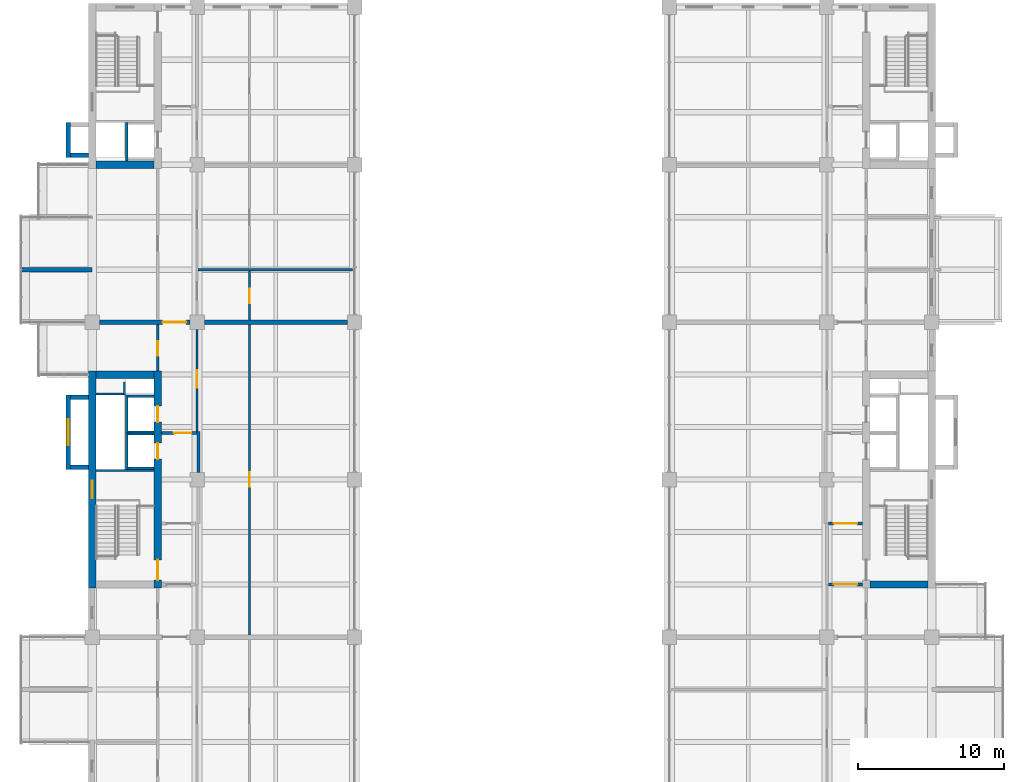
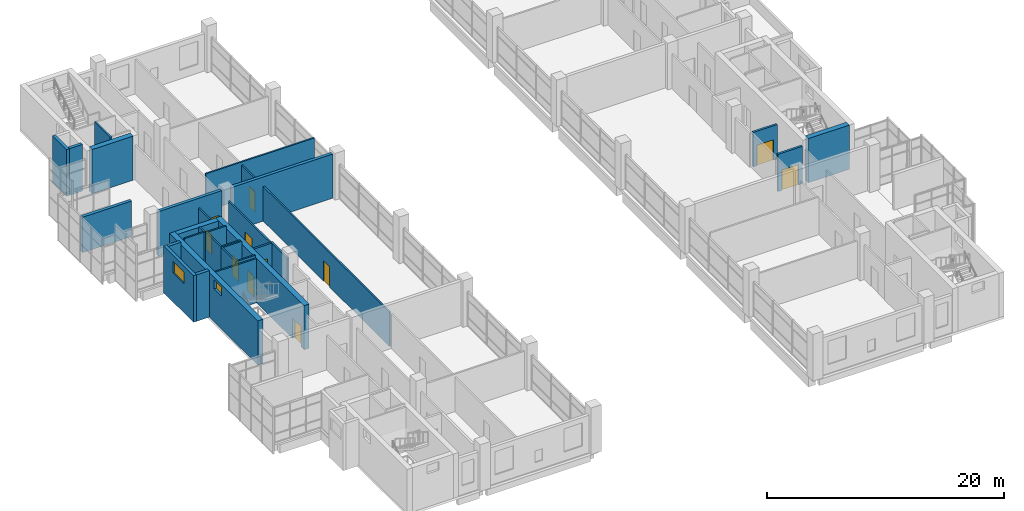
# One storey, part 23 of 30: 32 walls, 11 doors, 2 windows, 13 openings.
"""IFC4 building model written with IfcOpenShell, lengths in metres."""

import ifcopenshell
import ifcopenshell.guid

model = None  # the IFC model being written
_history = None  # IfcOwnerHistory: only IFC2X3 demands one
_inside = {}  # id of a spatial element -> (the spatial element, [elements in it])
_under = {}  # id of a project, library or spatial element -> (it, [spatial elements below it])
_declared = {}  # id of a project -> (the project, [libraries it declares])
_typed = {}  # id of a type object -> (the type object, [elements of that type])
_made_of = {}  # id of a material, layer set ... -> (it, [elements and type objects made of it])


def new_model(schema):
    """Start an empty IFC model of exactly this schema.

    Asked for "IFC4X3", IfcOpenShell would pick the latest addendum, in which some entities
    have other attributes; the version numbers below select the first issue.
    IFC2X3 requires an IfcOwnerHistory on every rooted entity: one is made here for all.
    """
    global model, _history
    if schema == "IFC4X3":
        model = ifcopenshell.file(schema_version=(4, 3, 0, 0))
    else:
        model = ifcopenshell.file(schema=schema)
    _inside.clear()
    _under.clear()
    _declared.clear()
    _typed.clear()
    _made_of.clear()
    _history = None
    if model.schema == "IFC2X3":
        org = make("IfcOrganization", Name="unknown")
        user = make(
            "IfcPersonAndOrganization",
            ThePerson=make("IfcPerson", FamilyName="unknown"),
            TheOrganization=org,
        )
        app = make(
            "IfcApplication",
            ApplicationDeveloper=org,
            Version="unknown",
            ApplicationFullName="unknown",
            ApplicationIdentifier="unknown",
        )
        _history = make(
            "IfcOwnerHistory",
            OwningUser=user,
            OwningApplication=app,
            ChangeAction="ADDED",
            CreationDate=0,
        )
    return model


def make(cls, **values):
    """One entity of the class cls with the attributes given. An attribute that is None is left unset."""
    return model.create_entity(
        cls, **{name: value for name, value in values.items() if value is not None}
    )


def rooted(cls, **values):
    """An entity with a GlobalId (a new one), such as an element, a storey or a relation."""
    return make(cls, GlobalId=ifcopenshell.guid.new(), OwnerHistory=_history, **values)


def si_unit(unit_type, name, prefix=None):
    """IfcSIUnit, for example si_unit("LENGTHUNIT", "METRE", prefix="MILLI")."""
    return make("IfcSIUnit", UnitType=unit_type, Prefix=prefix, Name=name)


def assignment(units):
    """IfcUnitAssignment: the units of a project."""
    return None if units is None else make("IfcUnitAssignment", Units=units)


def point(xyz):
    """IfcCartesianPoint."""
    return None if xyz is None else make("IfcCartesianPoint", Coordinates=xyz)


def direction(xyz):
    """IfcDirection."""
    return None if xyz is None else make("IfcDirection", DirectionRatios=xyz)


def frame(location, z_axis=None, x_axis=None):
    """IfcAxis2Placement3D, a coordinate frame: its origin and axes. An axis left out is left unset."""
    return make(
        "IfcAxis2Placement3D",
        Location=point(location),
        Axis=direction(z_axis),
        RefDirection=direction(x_axis),
    )


def frame_2d(location, x_axis=None):
    """IfcAxis2Placement2D, a coordinate frame in the plane: its origin and x axis."""
    return make(
        "IfcAxis2Placement2D", Location=point(location), RefDirection=direction(x_axis)
    )


def origin():
    """The frame at (0, 0, 0) with its axes left unset."""
    return frame((0.0, 0.0, 0.0))


def place(relative_to, where):
    """IfcLocalPlacement: puts the frame where relative to a parent placement (None: the world)."""
    return make(
        "IfcLocalPlacement", PlacementRelTo=relative_to, RelativePlacement=where
    )


def context(
    kind, dimensions, precision=None, world=None, true_north=None, identifier=None
):
    """IfcGeometricRepresentationContext, for example the 3D "Model" context."""
    return make(
        "IfcGeometricRepresentationContext",
        ContextIdentifier=identifier,
        ContextType=kind,
        CoordinateSpaceDimension=dimensions,
        Precision=precision,
        WorldCoordinateSystem=world,
        TrueNorth=true_north,
    )


def subcontext(parent, identifier, kind, view, scale=None):
    """IfcGeometricRepresentationSubContext, for example "Body" below "Model"."""
    return make(
        "IfcGeometricRepresentationSubContext",
        ContextIdentifier=identifier,
        ContextType=kind,
        ParentContext=parent,
        TargetScale=scale,
        TargetView=view,
    )


def project(units=None, contexts=None):
    """IfcProject with its units and contexts."""
    return rooted(
        "IfcProject",
        Name="project",
        RepresentationContexts=contexts,
        UnitsInContext=assignment(units),
    )


def spatial(cls, under=None, at=None, **own):
    """A site, building, storey or space (cls), placed at a placement, below another one or the project."""
    s = rooted(cls, ObjectPlacement=at, **own)
    if under is not None:
        _under.setdefault(under.id(), (under, []))[1].append(s)
    return s


def profile(cls, at=None, kind="AREA", **sizes):
    """A parametric profile (cls). Its sizes go by their IFC names, for example OverallWidth=200.0."""
    return make(cls, ProfileType=kind, Position=at, **sizes)


def rectangle(**sizes):
    """IfcRectangleProfileDef."""
    return profile("IfcRectangleProfileDef", **sizes)


def extrude(swept, where, along, depth):
    """IfcExtrudedAreaSolid: the profile swept, set in the frame where, extruded along a direction by depth."""
    return make(
        "IfcExtrudedAreaSolid",
        SweptArea=swept,
        Position=where,
        ExtrudedDirection=direction(along),
        Depth=depth,
    )


def shape(context_of_items, identifier, shape_type, items):
    """IfcShapeRepresentation: the items that make up one representation, for example the "Body"."""
    return make(
        "IfcShapeRepresentation",
        ContextOfItems=context_of_items,
        RepresentationIdentifier=identifier,
        RepresentationType=shape_type,
        Items=items,
    )


def material(Name=None, Category=None):
    """IfcMaterial."""
    return make("IfcMaterial", Name=Name, Category=Category)


def layer(
    of_material, thickness, ventilated=None, Name=None, Category=None, Priority=None
):
    """IfcMaterialLayer: one layer of a wall or slab, of a material (None: an air gap)."""
    return make(
        "IfcMaterialLayer",
        Material=of_material,
        LayerThickness=thickness,
        IsVentilated=ventilated,
        Name=Name,
        Category=Category,
        Priority=Priority,
    )


def layer_set(layers, Name=None):
    """IfcMaterialLayerSet."""
    return make("IfcMaterialLayerSet", MaterialLayers=layers, LayerSetName=Name)


def made_of(thing, what):
    """Note that an element or type object is made of a material, layer set ...; save() writes the relation."""
    if what is not None:
        _made_of.setdefault(what.id(), (what, []))[1].append(thing)
    return thing


def type_object(cls, material=None, **own):
    """A type object (cls), such as IfcWallType, which elements share."""
    return made_of(rooted(cls, **own), material)


def element(
    cls,
    number,
    at=None,
    inside=None,
    cuts=None,
    type_object=None,
    material=None,
    context=None,
    identifier="Body",
    shape_type=None,
    held_by="IfcProductDefinitionShape",
    body=None,
    shapes=None,
    **own,
):
    """One element of the class cls, such as IfcWall. Its Tag is "e" and its number.

    at: its placement. inside: the storey or other place that contains it. cuts: it is an
    opening in that element (IfcRelVoidsElement). A single representation is given by context,
    identifier, shape_type and body (its items); several are given by shapes. held_by: the class
    of the entity that holds the representations. save() writes the other relations.
    """
    e = rooted(cls, Tag="e%d" % number, ObjectPlacement=at, **own)
    if body is not None:
        shapes = [shape(context, identifier, shape_type, body)]
    if shapes is not None:
        e.Representation = make(held_by, Representations=shapes)
    if inside is not None:
        _inside.setdefault(inside.id(), (inside, []))[1].append(e)
    if cuts is not None:
        rooted(
            "IfcRelVoidsElement", RelatingBuildingElement=cuts, RelatedOpeningElement=e
        )
    if type_object is not None:
        _typed.setdefault(type_object.id(), (type_object, []))[1].append(e)
    return made_of(e, material)


def fill(opening, filler):
    """IfcRelFillsElement: the door or window that sits in an opening."""
    return rooted(
        "IfcRelFillsElement",
        RelatingOpeningElement=opening,
        RelatedBuildingElement=filler,
    )


def aggregate(whole, parts):
    """IfcRelAggregates: a whole, such as a stair, and the parts it consists of."""
    return rooted("IfcRelAggregates", RelatingObject=whole, RelatedObjects=parts)


def save(model, path):
    """Write the relations noted so far, then the file.

    IfcRelAggregates (storeys below a building ...), IfcRelContainedInSpatialStructure (elements
    in a storey), IfcRelDefinesByType, IfcRelAssociatesMaterial and IfcRelDeclares: one each for
    every whole, place, type object, material and project.
    """
    for whole, parts in _under.values():
        aggregate(whole, parts)
    for where, things in _inside.values():
        rooted(
            "IfcRelContainedInSpatialStructure",
            RelatedElements=things,
            RelatingStructure=where,
        )
    for kind, things in _typed.values():
        rooted("IfcRelDefinesByType", RelatedObjects=things, RelatingType=kind)
    for what, things in _made_of.values():
        rooted("IfcRelAssociatesMaterial", RelatedObjects=things, RelatingMaterial=what)
    for by, libraries in _declared.values():
        rooted("IfcRelDeclares", RelatingContext=by, RelatedDefinitions=libraries)
    model.write(path)


model = new_model("IFC4")

# Units and contexts
model_context = context("Model", 3, precision=1e-05, world=origin(), true_north=direction((0.0, 1.0)))
body_context = subcontext(model_context, "Body", "Model", "MODEL_VIEW")
ifc_project = project(units=[si_unit("LENGTHUNIT", "METRE"), si_unit("AREAUNIT", "SQUARE_METRE"), si_unit("VOLUMEUNIT", "CUBIC_METRE"), si_unit("PLANEANGLEUNIT", "RADIAN"), si_unit("MASSUNIT", "GRAM", prefix="KILO")], contexts=[model_context])

# Site, building, storey
site_placement = place(None, origin())
site = spatial("IfcSite", under=ifc_project, at=site_placement, CompositionType="ELEMENT")
building_placement = place(site_placement, origin())
building = spatial("IfcBuilding", under=site, at=building_placement, Name="Basin Gate Institute", CompositionType="ELEMENT")
storey_placement = place(building_placement, frame((0.0, 0.0, 36.60009765625)))
storey = spatial("IfcBuildingStorey", under=building, at=storey_placement, Name="L07", CompositionType="ELEMENT", Elevation=36.60009765625)

# Wall
ifc_material_1 = material(Name="Aluminium-faced insulated panel wall", Category="aluminium")
ifc_layer_1 = layer(ifc_material_1, 0.300048828125)
ifc_layer_set_1 = layer_set([ifc_layer_1], Name="Capsule side wall EW2 EI 120")
wall_type_1 = type_object("IfcWallType", Name="Capsule side wall EW2 EI 120", PredefinedType="STANDARD", material=ifc_layer_set_1)
wall_1_placement = place(storey_placement, frame((56.39990234375, 81.89990234375, 0.0), z_axis=(0.0, 0.0, 1.0), x_axis=(1.0, 0.0, 0.0)))
element("IfcWall", 1, at=wall_1_placement, inside=storey, type_object=wall_type_1, material=ifc_layer_set_1, Name="Capsule side wall W wing L07 line 14", PredefinedType="STANDARD", context=body_context, shape_type="SweptSolid", body=[
    extrude(rectangle(XDim=4.800048828125, YDim=0.300048828125, at=frame_2d((2.39990234375, 0.0))), origin(), (0.0, 0.0, 1.0), 3.64990234375),
])

# Wall, opening, door
ifc_material_2 = material(Name="Fire-rated masonry", Category="masonry")
ifc_layer_2 = layer(ifc_material_2, 0.199951171875)
ifc_layer_set_2 = layer_set([ifc_layer_2], Name="Enclosure wall PW2 200 EI 60")
wall_type_2 = type_object("IfcWallType", Name="Enclosure wall PW2 200 EI 60", PredefinedType="PARTITIONING", material=ifc_layer_set_2)
wall_2_placement = place(storey_placement, frame((65.949951171875, 70.699951171875, 0.0), z_axis=(0.0, 0.0, 1.0), x_axis=(1.0, 0.0, 0.0)))
wall_2 = element("IfcWall", 2, at=wall_2_placement, inside=storey, type_object=wall_type_2, material=ifc_layer_set_2, Name="Emergency lift lobby wall PW2 L07", PredefinedType="PARTITIONING", context=body_context, shape_type="SweptSolid", body=[
    extrude(rectangle(XDim=2.449951171875, YDim=0.199951171875, at=frame_2d((1.22509765625, 0.0))), origin(), (0.0, 0.0, 1.0), 3.5498046875),
])
opening_1_placement = place(wall_2_placement, frame((0.85009765625, 0.0, 0.0)))
opening_1 = element("IfcOpeningElement", 3, at=opening_1_placement, cuts=wall_2, Name="Opening DR361", PredefinedType="OPENING", context=body_context, shape_type="SweptSolid", body=[
    extrude(rectangle(XDim=1.199951171875, YDim=2.10009765625, at=frame_2d((0.60009765625, 1.050048828125))), frame((0.0, 0.10986328125, 0.0), z_axis=(0.0, -1.0, 0.0), x_axis=(1.0, 0.0, 0.0)), (0.0, 0.0, 1.0), 0.219970703125),
])
ifc_material_3 = material(Name="Steel fire door", Category="steel")
door_type_1 = type_object("IfcDoorType", Name="FD60 Emergency lift lobby door D9", OperationType="NOTDEFINED", PredefinedType="DOOR", material=ifc_material_3)
door_1_placement = place(opening_1_placement, frame((1.199951171875, 0.0, 0.0), z_axis=(0.0, 0.0, 1.0), x_axis=(-1.0, 0.0, 0.0)))
door_1 = element("IfcDoor", 4, at=door_1_placement, inside=storey, type_object=door_type_1, material=ifc_material_3, Name="Emergency lift lobby door LF1 L07", OperationType="SINGLE_SWING_LEFT", OverallHeight=2.10009765625, OverallWidth=1.199951171875, PredefinedType="DOOR", context=body_context, shape_type="SweptSolid", body=[
    extrude(rectangle(XDim=1.199951171875, YDim=2.10009765625, at=frame_2d((0.60009765625, 1.050048828125))), frame((0.0, 0.02490234375, 0.0), z_axis=(0.0, -1.0, 0.0), x_axis=(1.0, 0.0, 0.0)), (0.0, 0.0, 1.0), 0.050048828125),
])
fill(opening_1, door_1)

# Wall
wall_3_placement = place(storey_placement, frame((68.5, 68.0, 0.0), z_axis=(0.0, 0.0, 1.0), x_axis=(0.0, 1.0, 0.0)))
element("IfcWall", 5, at=wall_3_placement, inside=storey, type_object=wall_type_2, material=ifc_layer_set_2, Name="Emergency lift lobby wall PW2 L07", PredefinedType="PARTITIONING", context=body_context, shape_type="SweptSolid", body=[
    extrude(rectangle(XDim=2.800048828125, YDim=0.199951171875, at=frame_2d((1.39990234375, 0.0))), origin(), (0.0, 0.0, 1.0), 3.5498046875),
])

# Wall, opening, door
wall_4_placement = place(storey_placement, frame((114.050048828125, 60.300048828125, 0.0), z_axis=(0.0, 0.0, 1.0), x_axis=(-1.0, 0.0, 0.0)))
wall_4 = element("IfcWall", 6, at=wall_4_placement, inside=storey, type_object=wall_type_2, material=ifc_layer_set_2, Name="Smoke lobby enclosure wall PW2 L07", PredefinedType="PARTITIONING", context=body_context, shape_type="SweptSolid", body=[
    extrude(rectangle(XDim=2.35009765625, YDim=0.199951171875, at=frame_2d((1.175048828125, 0.0))), origin(), (0.0, 0.0, 1.0), 3.849853515625),
])
opening_2_placement = place(wall_4_placement, frame((0.375, 0.0, 0.0)))
opening_2 = element("IfcOpeningElement", 7, at=opening_2_placement, cuts=wall_4, Name="Opening DR339", PredefinedType="OPENING", context=body_context, shape_type="SweptSolid", body=[
    extrude(rectangle(XDim=1.60009765625, YDim=2.10009765625, at=frame_2d((0.800048828125, 1.050048828125))), frame((0.0, 0.10986328125, 0.0), z_axis=(0.0, -1.0, 0.0), x_axis=(1.0, 0.0, 0.0)), (0.0, 0.0, 1.0), 0.219970703125),
])
ifc_material_4 = material(Name="Steel fire door", Category="steel")
door_type_2 = type_object("IfcDoorType", Name="FD60 Smoke lobby door pair D8", OperationType="DOUBLE_DOOR_SINGLE_SWING", PredefinedType="DOOR", material=ifc_material_4)
door_2_placement = place(opening_2_placement, frame((1.60009765625, 0.0, 0.0), z_axis=(0.0, 0.0, 1.0), x_axis=(-1.0, 0.0, 0.0)))
door_2 = element("IfcDoor", 8, at=door_2_placement, inside=storey, type_object=door_type_2, material=ifc_material_4, Name="Smoke lobby door SS5 L07", OperationType="DOUBLE_DOOR_SINGLE_SWING", OverallHeight=2.10009765625, OverallWidth=1.60009765625, PredefinedType="DOOR", context=body_context, shape_type="SweptSolid", body=[
    extrude(rectangle(XDim=1.60009765625, YDim=2.10009765625, at=frame_2d((0.800048828125, 1.050048828125))), frame((0.0, 0.02490234375, 0.0), z_axis=(0.0, -1.0, 0.0), x_axis=(1.0, 0.0, 0.0)), (0.0, 0.0, 1.0), 0.050048828125),
])
fill(opening_2, door_2)

wall_5_placement = place(storey_placement, frame((114.050048828125, 64.5, 0.0), z_axis=(0.0, 0.0, 1.0), x_axis=(-1.0, 0.0, 0.0)))
wall_5 = element("IfcWall", 9, at=wall_5_placement, inside=storey, type_object=wall_type_2, material=ifc_layer_set_2, Name="Smoke lobby enclosure wall PW2 L07", PredefinedType="PARTITIONING", context=body_context, shape_type="SweptSolid", body=[
    extrude(rectangle(XDim=2.35009765625, YDim=0.199951171875, at=frame_2d((1.175048828125, 0.0))), origin(), (0.0, 0.0, 1.0), 3.5498046875),
])
opening_3_placement = place(wall_5_placement, frame((0.375, 0.0, 0.0)))
opening_3 = element("IfcOpeningElement", 10, at=opening_3_placement, cuts=wall_5, Name="Opening DR340", PredefinedType="OPENING", context=body_context, shape_type="SweptSolid", body=[
    extrude(rectangle(XDim=1.60009765625, YDim=2.10009765625, at=frame_2d((0.800048828125, 1.050048828125))), frame((0.0, 0.10986328125, 0.0), z_axis=(0.0, -1.0, 0.0), x_axis=(1.0, 0.0, 0.0)), (0.0, 0.0, 1.0), 0.219970703125),
])
door_3_placement = place(opening_3_placement, origin())
door_3 = element("IfcDoor", 11, at=door_3_placement, inside=storey, type_object=door_type_2, material=ifc_material_4, Name="Smoke lobby door SS5 L07", OperationType="DOUBLE_DOOR_SINGLE_SWING", OverallHeight=2.10009765625, OverallWidth=1.60009765625, PredefinedType="DOOR", context=body_context, shape_type="SweptSolid", body=[
    extrude(rectangle(XDim=1.60009765625, YDim=2.10009765625, at=frame_2d((0.800048828125, 1.050048828125))), frame((0.0, 0.02490234375, 0.0), z_axis=(0.0, -1.0, 0.0), x_axis=(1.0, 0.0, 0.0)), (0.0, 0.0, 1.0), 0.050048828125),
])
fill(opening_3, door_3)

ifc_material_5 = material(Name="Gypsum board on steel stud", Category="steel")
ifc_layer_3 = layer(ifc_material_5, 0.14990234375)
ifc_layer_set_3 = layer_set([ifc_layer_3], Name="Gypsum board on steel stud")
wall_type_3 = type_object("IfcWallType", Name="Partition PW1 150 EI 60", PredefinedType="PARTITIONING", material=ifc_layer_set_3)
wall_6_placement = place(storey_placement, frame((65.699951171875, 74.949951171875, 0.0), z_axis=(0.0, 0.0, 1.0), x_axis=(0.0, 1.0, 0.0)))
wall_6 = element("IfcWall", 12, at=wall_6_placement, inside=storey, type_object=wall_type_3, material=ifc_layer_set_3, Name="Corridor wall PW1 L07", PredefinedType="PARTITIONING", context=body_context, shape_type="SweptSolid", body=[
    extrude(rectangle(XDim=3.199951171875, YDim=0.14990234375, at=frame_2d((1.60009765625, 0.0))), origin(), (0.0, 0.0, 1.0), 3.5498046875),
])
opening_4_placement = place(wall_6_placement, frame((1.050048828125, 0.0, 0.0)))
opening_4 = element("IfcOpeningElement", 13, at=opening_4_placement, cuts=wall_6, Name="Opening DR360", PredefinedType="OPENING", context=body_context, shape_type="SweptSolid", body=[
    extrude(rectangle(XDim=1.0, YDim=2.10009765625, at=frame_2d((0.5, 1.050048828125))), frame((0.0, 0.0849609375, 0.0), z_axis=(0.0, -1.0, 0.0), x_axis=(1.0, 0.0, 0.0)), (0.0, 0.0, 1.0), 0.169921875),
])
ifc_material_6 = material(Name="Timber fire door", Category="wood")
door_type_3 = type_object("IfcDoorType", Name="FD30 Office door D1", OperationType="NOTDEFINED", PredefinedType="DOOR", material=ifc_material_6)
door_4_placement = place(opening_4_placement, origin())
door_4 = element("IfcDoor", 14, at=door_4_placement, inside=storey, type_object=door_type_3, material=ifc_material_6, Name="Door to Seminar Room 0704 L07", OperationType="SINGLE_SWING_LEFT", OverallHeight=2.10009765625, OverallWidth=1.0, PredefinedType="DOOR", context=body_context, shape_type="SweptSolid", body=[
    extrude(rectangle(XDim=1.0, YDim=2.10009765625, at=frame_2d((0.5, 1.050048828125))), frame((0.0, 0.02490234375, 0.0), z_axis=(0.0, -1.0, 0.0), x_axis=(1.0, 0.0, 0.0)), (0.0, 0.0, 1.0), 0.050048828125),
])
fill(opening_4, door_4)

wall_7_placement = place(storey_placement, frame((68.39990234375, 70.800048828125, 0.0), z_axis=(0.0, 0.0, 1.0), x_axis=(0.0, 1.0, 0.0)))
wall_7 = element("IfcWall", 15, at=wall_7_placement, inside=storey, type_object=wall_type_3, material=ifc_layer_set_3, Name="Laboratory corridor wall PW1 L07", PredefinedType="PARTITIONING", context=body_context, shape_type="SweptSolid", body=[
    extrude(rectangle(XDim=7.0, YDim=0.14990234375, at=frame_2d((3.5, 0.0))), origin(), (0.0, 0.0, 1.0), 3.5498046875),
])
opening_5_placement = place(wall_7_placement, frame((3.0, 0.0, 0.0)))
opening_5 = element("IfcOpeningElement", 16, at=opening_5_placement, cuts=wall_7, Name="Opening DR354", PredefinedType="OPENING", context=body_context, shape_type="SweptSolid", body=[
    extrude(rectangle(XDim=1.199951171875, YDim=2.10009765625, at=frame_2d((0.60009765625, 1.050048828125))), frame((0.0, 0.0849609375, 0.0), z_axis=(0.0, -1.0, 0.0), x_axis=(1.0, 0.0, 0.0)), (0.0, 0.0, 1.0), 0.169921875),
])
ifc_material_7 = material(Name="Timber fire door", Category="wood")
door_type_4 = type_object("IfcDoorType", Name="FD30 Laboratory door D2", OperationType="DOUBLE_DOOR_SINGLE_SWING", PredefinedType="DOOR", material=ifc_material_7)
door_5_placement = place(opening_5_placement, frame((1.199951171875, 0.0, 0.0), z_axis=(0.0, 0.0, 1.0), x_axis=(-1.0, 0.0, 0.0)))
door_5 = element("IfcDoor", 17, at=door_5_placement, inside=storey, type_object=door_type_4, material=ifc_material_7, Name="Door to Gowning Airlock 0718 L07", OperationType="DOUBLE_DOOR_SINGLE_SWING", OverallHeight=2.10009765625, OverallWidth=1.199951171875, PredefinedType="DOOR", context=body_context, shape_type="SweptSolid", body=[
    extrude(rectangle(XDim=1.199951171875, YDim=2.10009765625, at=frame_2d((0.60009765625, 1.050048828125))), frame((0.0, 0.02490234375, 0.0), z_axis=(0.0, -1.0, 0.0), x_axis=(1.0, 0.0, 0.0)), (0.0, 0.0, 1.0), 0.050048828125),
])
fill(opening_5, door_5)

wall_8_placement = place(storey_placement, frame((72.0, 56.85009765625, 0.0), z_axis=(0.0, 0.0, 1.0), x_axis=(0.0, 1.0, 0.0)))
wall_8 = element("IfcWall", 18, at=wall_8_placement, inside=storey, type_object=wall_type_3, material=ifc_layer_set_3, Name="Clean room wall PW1 L07", PredefinedType="PARTITIONING", context=body_context, shape_type="SweptSolid", body=[
    extrude(rectangle(XDim=21.2998046875, YDim=0.14990234375, at=frame_2d((10.64990234375, 0.0))), origin(), (0.0, 0.0, 1.0), 3.5498046875),
])
opening_6_placement = place(wall_8_placement, frame((10.14990234375, 0.0, 0.0)))
opening_6 = element("IfcOpeningElement", 19, at=opening_6_placement, cuts=wall_8, Name="Opening DR347", PredefinedType="OPENING", context=body_context, shape_type="SweptSolid", body=[
    extrude(rectangle(XDim=1.0, YDim=2.10009765625, at=frame_2d((0.5, 1.050048828125))), frame((0.0, 0.0849609375, 0.0), z_axis=(0.0, -1.0, 0.0), x_axis=(1.0, 0.0, 0.0)), (0.0, 0.0, 1.0), 0.169921875),
])
ifc_material_8 = material(Name="Steel fire door", Category="steel")
door_type_5 = type_object("IfcDoorType", Name="FD30 Airlock door D5", OperationType="NOTDEFINED", PredefinedType="DOOR", material=ifc_material_8)
door_6_placement = place(opening_6_placement, frame((1.0, 0.0, 0.0), z_axis=(0.0, 0.0, 1.0), x_axis=(-1.0, 0.0, 0.0)))
door_6 = element("IfcDoor", 20, at=door_6_placement, inside=storey, type_object=door_type_5, material=ifc_material_8, Name="Clean room entry door Clean Room ISO 7 0718 L07", OperationType="SINGLE_SWING_RIGHT", OverallHeight=2.10009765625, OverallWidth=1.0, PredefinedType="DOOR", context=body_context, shape_type="SweptSolid", body=[
    extrude(rectangle(XDim=1.0, YDim=2.10009765625, at=frame_2d((0.5, 1.050048828125))), frame((0.0, 0.02490234375, 0.0), z_axis=(0.0, -1.0, 0.0), x_axis=(1.0, 0.0, 0.0)), (0.0, 0.0, 1.0), 0.050048828125),
])
fill(opening_6, door_6)

wall_9_placement = place(storey_placement, frame((72.0, 78.449951171875, 0.0), z_axis=(0.0, 0.0, 1.0), x_axis=(0.0, 1.0, 0.0)))
wall_9 = element("IfcWall", 21, at=wall_9_placement, inside=storey, type_object=wall_type_3, material=ifc_layer_set_3, Name="Clean room wall PW1 L07", PredefinedType="PARTITIONING", context=body_context, shape_type="SweptSolid", body=[
    extrude(rectangle(XDim=3.375, YDim=0.14990234375, at=frame_2d((1.6875, 0.0))), origin(), (0.0, 0.0, 1.0), 3.5498046875),
])
opening_7_placement = place(wall_9_placement, frame((1.14990234375, 0.0, 0.0)))
opening_7 = element("IfcOpeningElement", 22, at=opening_7_placement, cuts=wall_9, Name="Opening DR344", PredefinedType="OPENING", context=body_context, shape_type="SweptSolid", body=[
    extrude(rectangle(XDim=1.0, YDim=2.10009765625, at=frame_2d((0.5, 1.050048828125))), frame((0.0, 0.0849609375, 0.0), z_axis=(0.0, -1.0, 0.0), x_axis=(1.0, 0.0, 0.0)), (0.0, 0.0, 1.0), 0.169921875),
])
door_7_placement = place(opening_7_placement, frame((1.0, 0.0, 0.0), z_axis=(0.0, 0.0, 1.0), x_axis=(-1.0, 0.0, 0.0)))
door_7 = element("IfcDoor", 23, at=door_7_placement, inside=storey, type_object=door_type_5, material=ifc_material_8, Name="Clean room entry door Clean Room ISO 6 0720 L07", OperationType="SINGLE_SWING_RIGHT", OverallHeight=2.10009765625, OverallWidth=1.0, PredefinedType="DOOR", context=body_context, shape_type="SweptSolid", body=[
    extrude(rectangle(XDim=1.0, YDim=2.10009765625, at=frame_2d((0.5, 1.050048828125))), frame((0.0, 0.02490234375, 0.0), z_axis=(0.0, -1.0, 0.0), x_axis=(1.0, 0.0, 0.0)), (0.0, 0.0, 1.0), 0.050048828125),
])
fill(opening_7, door_7)

# Walls
wall_10_placement = place(storey_placement, frame((68.47509765625, 81.89990234375, 0.0), z_axis=(0.0, 0.0, 1.0), x_axis=(1.0, 0.0, 0.0)))
element("IfcWall", 24, at=wall_10_placement, inside=storey, type_object=wall_type_3, material=ifc_layer_set_3, Name="Clean room wall PW1 L07", PredefinedType="PARTITIONING", context=body_context, shape_type="SweptSolid", body=[
    extrude(rectangle(XDim=10.574951171875, YDim=0.14990234375, at=frame_2d((5.28759765625, 0.0))), origin(), (0.0, 0.0, 1.0), 3.849853515625),
])
ifc_material_9 = material(Name="Concrete 40 MPa", Category="concrete")
ifc_layer_4 = layer(ifc_material_9, 0.14990234375)
ifc_layer_set_4 = layer_set([ifc_layer_4], Name="Concrete 40 MPa")
wall_type_4 = type_object("IfcWallType", Name="Wall LS1 lift shaft enclosure R120", PredefinedType="SOLIDWALL", material=ifc_layer_set_4)
wall_11_placement = place(storey_placement, frame((63.574951171875, 68.199951171875, 0.0), z_axis=(0.0, 0.0, 1.0), x_axis=(0.0, 1.0, 0.0)))
element("IfcWall", 25, at=wall_11_placement, inside=storey, type_object=wall_type_4, material=ifc_layer_set_4, Name="Lift shaft enclosure LF1 L07 UL", PredefinedType="SOLIDWALL", context=body_context, shape_type="SweptSolid", body=[
    extrude(rectangle(XDim=2.5, YDim=0.14990234375, at=frame_2d((1.25, 0.0))), origin(), (0.0, 0.0, 1.0), 4.7998046875),
])
for number, where, z_axis, x_axis, name in (
    (26, (63.64990234375, 68.27490234375, 0.0), (0.0, 0.0, 1.0), (1.0, 0.0, 0.0), "Lift shaft enclosure LF1 L07 RL"),
    (27, (63.64990234375, 70.625, 0.0), (0.0, 0.0, 1.0), (1.0, 0.0, 0.0), "Lift shaft enclosure LF1 L07 RH"),
):
    element("IfcWall", number, at=place(storey_placement, frame(where, z_axis=z_axis, x_axis=x_axis)), inside=storey, type_object=wall_type_4, material=ifc_layer_set_4, Name=name, PredefinedType="SOLIDWALL", context=body_context, shape_type="SweptSolid", body=[
        extrude(rectangle(XDim=1.800048828125, YDim=0.14990234375, at=frame_2d((0.89990234375, 0.0))), origin(), (0.0, 0.0, 1.0), 4.7998046875),
    ])
wall_12_placement = place(storey_placement, frame((63.574951171875, 70.699951171875, 0.0), z_axis=(0.0, 0.0, 1.0), x_axis=(0.0, 1.0, 0.0)))
element("IfcWall", 28, at=wall_12_placement, inside=storey, type_object=wall_type_4, material=ifc_layer_set_4, Name="Lift shaft enclosure LP2 L07 UL", PredefinedType="SOLIDWALL", context=body_context, shape_type="SweptSolid", body=[
    extrude(rectangle(XDim=2.60009765625, YDim=0.14990234375, at=frame_2d((1.300048828125, 0.0))), origin(), (0.0, 0.0, 1.0), 4.7998046875),
])
for number, where, z_axis, x_axis, name in (
    (29, (63.64990234375, 70.77490234375, 0.0), (0.0, 0.0, 1.0), (1.0, 0.0, 0.0), "Lift shaft enclosure LP2 L07 RL"),
    (30, (63.64990234375, 73.22509765625, 0.0), (0.0, 0.0, 1.0), (1.0, 0.0, 0.0), "Lift shaft enclosure LP2 L07 RH"),
):
    element("IfcWall", number, at=place(storey_placement, frame(where, z_axis=z_axis, x_axis=x_axis)), inside=storey, type_object=wall_type_4, material=ifc_layer_set_4, Name=name, PredefinedType="SOLIDWALL", context=body_context, shape_type="SweptSolid", body=[
        extrude(rectangle(XDim=1.800048828125, YDim=0.14990234375, at=frame_2d((0.89990234375, 0.0))), origin(), (0.0, 0.0, 1.0), 4.7998046875),
    ])
wall_13_placement = place(storey_placement, frame((63.574951171875, 92.0, 0.0), z_axis=(0.0, 0.0, 1.0), x_axis=(0.0, -1.0, 0.0)))
element("IfcWall", 31, at=wall_13_placement, inside=storey, type_object=wall_type_4, material=ifc_layer_set_4, Name="Lift shaft enclosure LP3 L07 UL", PredefinedType="SOLIDWALL", context=body_context, shape_type="SweptSolid", body=[
    extrude(rectangle(XDim=2.64990234375, YDim=0.14990234375, at=frame_2d((1.324951171875, 0.0))), origin(), (0.0, 0.0, 1.0), 4.7998046875),
])
ifc_material_10 = material(Name="Concrete 40 MPa", Category="concrete")
ifc_layer_5 = layer(ifc_material_10, 0.14990234375)
ifc_layer_set_5 = layer_set([ifc_layer_5], Name="Concrete 40 MPa")
wall_type_5 = type_object("IfcWallType", Name="Wall RS1 riser shaft enclosure R120", PredefinedType="SOLIDWALL", material=ifc_layer_set_5)
wall_14_placement = place(storey_placement, frame((61.449951171875, 73.375, 0.0), z_axis=(0.0, 0.0, 1.0), x_axis=(1.0, 0.0, 0.0)))
element("IfcWall", 32, at=wall_14_placement, inside=storey, type_object=wall_type_5, material=ifc_layer_set_5, Name="Riser shaft enclosure WM L07 N", PredefinedType="SOLIDWALL", context=body_context, shape_type="SweptSolid", body=[
    extrude(rectangle(XDim=1.900146484375, YDim=0.14990234375, at=frame_2d((0.9501953125, 0.0))), origin(), (0.0, 0.0, 1.0), 4.7998046875),
])
wall_15_placement = place(storey_placement, frame((63.425048828125, 73.300048828125, 0.0), z_axis=(0.0, 0.0, 1.0), x_axis=(0.0, 1.0, 0.0)))
element("IfcWall", 33, at=wall_15_placement, inside=storey, type_object=wall_type_5, material=ifc_layer_set_5, Name="Riser shaft enclosure WM L07 W", PredefinedType="SOLIDWALL", context=body_context, shape_type="SweptSolid", body=[
    extrude(rectangle(XDim=0.89990234375, YDim=0.14990234375, at=frame_2d((0.449951171875, 0.0))), origin(), (0.0, 0.0, 1.0), 4.7998046875),
])
ifc_material_11 = material(Name="Concrete 40 MPa", Category="concrete")
ifc_layer_6 = layer(ifc_material_11, 0.14990234375)
ifc_layer_set_6 = layer_set([ifc_layer_6], Name="Concrete 40 MPa")
wall_type_6 = type_object("IfcWallType", Name="Wall SE1 stair enclosure R120", PredefinedType="SOLIDWALL", material=ifc_layer_set_6)
wall_16_placement = place(storey_placement, frame((61.449951171875, 68.125, 0.0), z_axis=(0.0, 0.0, 1.0), x_axis=(1.0, 0.0, 0.0)))
element("IfcWall", 34, at=wall_16_placement, inside=storey, type_object=wall_type_6, material=ifc_layer_set_6, Name="Stair enclosure wall ST-WM L07", PredefinedType="SOLIDWALL", context=body_context, shape_type="SweptSolid", body=[
    extrude(rectangle(XDim=4.0, YDim=0.14990234375, at=frame_2d((2.0, 0.0))), origin(), (0.0, 0.0, 1.0), 4.5498046875),
])

# Wall, opening, window
ifc_material_12 = material(Name="Concrete 50 MPa", Category="concrete")
ifc_layer_7 = layer(ifc_material_12, 0.300048828125)
ifc_layer_set_7 = layer_set([ifc_layer_7], Name="Concrete 50 MPa")
wall_type_7 = type_object("IfcWallType", Name="Wall SK1 R120", PredefinedType="SHEAR", material=ifc_layer_set_7)
wall_17_placement = place(storey_placement, frame((59.550048828125, 68.199951171875, 0.0), z_axis=(0.0, 0.0, 1.0), x_axis=(0.0, 1.0, 0.0)))
wall_17 = element("IfcWall", 35, at=wall_17_placement, inside=storey, type_object=wall_type_7, material=ifc_layer_set_7, Name="Spine riser stack wall SK1 WM F L07", PredefinedType="SHEAR", context=body_context, shape_type="SweptSolid", body=[
    extrude(rectangle(XDim=5.10009765625, YDim=0.300048828125, at=frame_2d((2.550048828125, 0.0))), origin(), (0.0, 0.0, 1.0), 4.7998046875),
])
opening_8_placement = place(wall_17_placement, frame((1.64990234375, 0.0, 3.0)))
opening_8 = element("IfcOpeningElement", 36, at=opening_8_placement, cuts=wall_17, Name="Opening WL2", PredefinedType="OPENING", context=body_context, shape_type="SweptSolid", body=[
    extrude(rectangle(XDim=1.800048828125, YDim=1.199951171875, at=frame_2d((0.89990234375, 0.60009765625))), frame((0.0, 0.16015625, 0.0), z_axis=(0.0, -1.0, 0.0), x_axis=(1.0, 0.0, 0.0)), (0.0, 0.0, 1.0), 0.320068359375),
])
ifc_material_13 = material(Name="Aluminium louvre blades with fire damper", Category="aluminium")
window_type_1 = type_object("IfcWindowType", Name="Riser louvre EI 120 WL2", PartitioningType="SINGLE_PANEL", PredefinedType="WINDOW", material=ifc_material_13)
window_1_placement = place(opening_8_placement, origin())
window_1 = element("IfcWindow", 37, at=window_1_placement, inside=storey, type_object=window_type_1, material=ifc_material_13, Name="Riser louvre EI 120 WM riser 1 L07", OverallHeight=1.199951171875, OverallWidth=1.800048828125, PartitioningType="SINGLE_PANEL", PredefinedType="WINDOW", context=body_context, shape_type="SweptSolid", body=[
    extrude(rectangle(XDim=1.800048828125, YDim=1.199951171875, at=frame_2d((0.89990234375, 0.60009765625))), frame((0.0, 0.030029296875, 0.0), z_axis=(0.0, -1.0, 0.0), x_axis=(1.0, 0.0, 0.0)), (0.0, 0.0, 1.0), 0.06005859375),
])
fill(opening_8, window_1)

# Walls
for number, where, z_axis, x_axis, name in (
    (38, (60.949951171875, 68.35009765625, 0.0), (0.0, 0.0, 1.0), (-1.0, 0.0, 0.0), "Spine riser stack wall SK1 WM A L07"),
    (39, (60.949951171875, 73.14990234375, 0.0), (0.0, 0.0, 1.0), (-1.0, 0.0, 0.0), "Spine riser stack wall SK1 WM B L07"),
):
    element("IfcWall", number, at=place(storey_placement, frame(where, z_axis=z_axis, x_axis=x_axis)), inside=storey, type_object=wall_type_7, material=ifc_layer_set_7, Name=name, PredefinedType="SHEAR", context=body_context, shape_type="SweptSolid", body=[
        extrude(rectangle(XDim=1.25, YDim=0.300048828125, at=frame_2d((0.625, 0.0))), origin(), (0.0, 0.0, 1.0), 4.7998046875),
    ])
wall_18_placement = place(storey_placement, frame((59.550048828125, 89.60009765625, 0.0), z_axis=(0.0, 0.0, 1.0), x_axis=(0.0, 1.0, 0.0)))
element("IfcWall", 40, at=wall_18_placement, inside=storey, type_object=wall_type_7, material=ifc_layer_set_7, Name="Spine riser stack wall SK1 WN F L07", PredefinedType="SHEAR", context=body_context, shape_type="SweptSolid", body=[
    extrude(rectangle(XDim=2.39990234375, YDim=0.300048828125, at=frame_2d((1.199951171875, 0.0))), origin(), (0.0, 0.0, 1.0), 4.7998046875),
])
wall_19_placement = place(storey_placement, frame((60.949951171875, 89.75, 0.0), z_axis=(0.0, 0.0, 1.0), x_axis=(-1.0, 0.0, 0.0)))
element("IfcWall", 41, at=wall_19_placement, inside=storey, type_object=wall_type_7, material=ifc_layer_set_7, Name="Spine riser stack wall SK1 WN A L07", PredefinedType="SHEAR", context=body_context, shape_type="SweptSolid", body=[
    extrude(rectangle(XDim=1.25, YDim=0.300048828125, at=frame_2d((0.625, 0.0))), origin(), (0.0, 0.0, 1.0), 4.7998046875),
])

# Wall, opening, window
ifc_material_14 = material(Name="Concrete 60 MPa", Category="concrete")
ifc_layer_8 = layer(ifc_material_14, 0.5)
ifc_layer_set_8 = layer_set([ifc_layer_8], Name="Concrete 60 MPa")
wall_type_8 = type_object("IfcWallType", Name="Wall SW1 R120", PredefinedType="SHEAR", material=ifc_layer_set_8)
wall_20_placement = place(storey_placement, frame((61.199951171875, 60.050048828125, 0.0), z_axis=(0.0, 0.0, 1.0), x_axis=(0.0, 1.0, 0.0)))
wall_20 = element("IfcWall", 42, at=wall_20_placement, inside=storey, type_object=wall_type_8, material=ifc_layer_set_8, Name="WALL/L07/WM/L", PredefinedType="SHEAR", context=body_context, shape_type="SweptSolid", body=[
    extrude(rectangle(XDim=14.89990234375, YDim=0.5, at=frame_2d((7.449951171875, 0.0))), origin(), (0.0, 0.0, 1.0), 4.5498046875),
])
opening_9_placement = place(wall_20_placement, frame((6.159912109375, 0.0, 3.39990234375)))
opening_9 = element("IfcOpeningElement", 43, at=opening_9_placement, cuts=wall_20, Name="Opening WT2", PredefinedType="OPENING", context=body_context, shape_type="SweptSolid", body=[
    extrude(rectangle(XDim=1.199951171875, YDim=0.89990234375, at=frame_2d((0.60009765625, 0.449951171875))), frame((0.0, 0.260009765625, 0.0), z_axis=(0.0, -1.0, 0.0), x_axis=(1.0, 0.0, 0.0)), (0.0, 0.0, 1.0), 0.52001953125),
])
ifc_material_15 = material(Name="Fire-resistant glazing in steel-free frame", Category="steel")
window_type_2 = type_object("IfcWindowType", Name="Rated stair window EI 120 WT2", PartitioningType="SINGLE_PANEL", PredefinedType="WINDOW", material=ifc_material_15)
window_2_placement = place(opening_9_placement, origin())
window_2 = element("IfcWindow", 44, at=window_2_placement, inside=storey, type_object=window_type_2, material=ifc_material_15, Name="Rated stair window EI 120 WM landing L07", OverallHeight=0.89990234375, OverallWidth=1.199951171875, PartitioningType="SINGLE_PANEL", PredefinedType="WINDOW", context=body_context, shape_type="SweptSolid", body=[
    extrude(rectangle(XDim=1.199951171875, YDim=0.89990234375, at=frame_2d((0.60009765625, 0.449951171875))), frame((0.0, 0.030029296875, 0.0), z_axis=(0.0, -1.0, 0.0), x_axis=(1.0, 0.0, 0.0)), (0.0, 0.0, 1.0), 0.06005859375),
])
fill(opening_9, window_2)

# Wall, openings, doors
wall_21_placement = place(storey_placement, frame((65.699951171875, 60.050048828125, 0.0), z_axis=(0.0, 0.0, 1.0), x_axis=(0.0, 1.0, 0.0)))
wall_21 = element("IfcWall", 45, at=wall_21_placement, inside=storey, type_object=wall_type_8, material=ifc_layer_set_8, Name="WALL/L07/WM/C", PredefinedType="SHEAR", context=body_context, shape_type="SweptSolid", body=[
    extrude(rectangle(XDim=14.89990234375, YDim=0.5, at=frame_2d((7.449951171875, 0.0))), origin(), (0.0, 0.0, 1.0), 4.5498046875),
])
opening_10_placement = place(wall_21_placement, frame((0.550048828125, 0.0, 0.0)))
opening_10 = element("IfcOpeningElement", 46, at=opening_10_placement, cuts=wall_21, Name="Opening DS044", PredefinedType="OPENING", context=body_context, shape_type="SweptSolid", body=[
    extrude(rectangle(XDim=1.39990234375, YDim=2.10009765625, at=frame_2d((0.699951171875, 1.050048828125))), frame((0.0, 0.260009765625, 0.0), z_axis=(0.0, -1.0, 0.0), x_axis=(1.0, 0.0, 0.0)), (0.0, 0.0, 1.0), 0.52001953125),
])
opening_11_placement = place(wall_21_placement, frame((8.85009765625, 0.0, 0.0)))
opening_11 = element("IfcOpeningElement", 47, at=opening_11_placement, cuts=wall_21, Name="Opening LD027", PredefinedType="OPENING", context=body_context, shape_type="SweptSolid", body=[
    extrude(rectangle(XDim=1.10009765625, YDim=2.10009765625, at=frame_2d((0.550048828125, 1.050048828125))), frame((0.0, 0.260009765625, 0.0), z_axis=(0.0, -1.0, 0.0), x_axis=(1.0, 0.0, 0.0)), (0.0, 0.0, 1.0), 0.52001953125),
])
opening_12_placement = place(wall_21_placement, frame((11.39990234375, 0.0, 0.0)))
opening_12 = element("IfcOpeningElement", 48, at=opening_12_placement, cuts=wall_21, Name="Opening LD045", PredefinedType="OPENING", context=body_context, shape_type="SweptSolid", body=[
    extrude(rectangle(XDim=1.10009765625, YDim=2.10009765625, at=frame_2d((0.550048828125, 1.050048828125))), frame((0.0, 0.260009765625, 0.0), z_axis=(0.0, -1.0, 0.0), x_axis=(1.0, 0.0, 0.0)), (0.0, 0.0, 1.0), 0.52001953125),
])
ifc_material_16 = material(Name="Steel fire door", Category="steel")
door_type_6 = type_object("IfcDoorType", Name="FD30 Stair enclosure door DS", OperationType="DOUBLE_DOOR_SINGLE_SWING", PredefinedType="DOOR", material=ifc_material_16)
door_8_placement = place(opening_10_placement, origin())
door_8 = element("IfcDoor", 49, at=door_8_placement, inside=storey, type_object=door_type_6, material=ifc_material_16, Name="Stair enclosure door ST-WM L07", OperationType="DOUBLE_DOOR_SINGLE_SWING", OverallHeight=2.10009765625, OverallWidth=1.39990234375, PredefinedType="DOOR", context=body_context, shape_type="SweptSolid", body=[
    extrude(rectangle(XDim=1.39990234375, YDim=2.10009765625, at=frame_2d((0.699951171875, 1.050048828125))), frame((0.0, 0.02490234375, 0.0), z_axis=(0.0, -1.0, 0.0), x_axis=(1.0, 0.0, 0.0)), (0.0, 0.0, 1.0), 0.050048828125),
])
fill(opening_10, door_8)
ifc_material_17 = material(Name="Stainless steel", Category="steel")
door_type_7 = type_object("IfcDoorType", Name="FD60 Lift landing door LD", OperationType="SLIDING_TO_LEFT", PredefinedType="DOOR", material=ifc_material_17)
door_9_placement = place(opening_11_placement, origin())
door_9 = element("IfcDoor", 50, at=door_9_placement, inside=storey, type_object=door_type_7, material=ifc_material_17, Name="Lift landing door LF1 L07", OperationType="SLIDING_TO_LEFT", OverallHeight=2.10009765625, OverallWidth=1.10009765625, PredefinedType="DOOR", context=body_context, shape_type="SweptSolid", body=[
    extrude(rectangle(XDim=1.10009765625, YDim=2.10009765625, at=frame_2d((0.550048828125, 1.050048828125))), frame((0.0, 0.02490234375, 0.0), z_axis=(0.0, -1.0, 0.0), x_axis=(1.0, 0.0, 0.0)), (0.0, 0.0, 1.0), 0.050048828125),
])
fill(opening_11, door_9)
door_10_placement = place(opening_12_placement, origin())
door_10 = element("IfcDoor", 51, at=door_10_placement, inside=storey, type_object=door_type_7, material=ifc_material_17, Name="Lift landing door LP2 L07", OperationType="SLIDING_TO_LEFT", OverallHeight=2.10009765625, OverallWidth=1.10009765625, PredefinedType="DOOR", context=body_context, shape_type="SweptSolid", body=[
    extrude(rectangle(XDim=1.10009765625, YDim=2.10009765625, at=frame_2d((0.550048828125, 1.050048828125))), frame((0.0, 0.02490234375, 0.0), z_axis=(0.0, -1.0, 0.0), x_axis=(1.0, 0.0, 0.0)), (0.0, 0.0, 1.0), 0.050048828125),
])
fill(opening_12, door_10)

# Walls
for number, where, z_axis, x_axis, name in (
    (52, (61.449951171875, 74.699951171875, 0.0), (0.0, 0.0, 1.0), (1.0, 0.0, 0.0), "WALL/L07/WM/N"),
    (53, (61.449951171875, 89.10009765625, 0.0), (0.0, 0.0, 1.0), (1.0, 0.0, 0.0), "WALL/L07/WN/S"),
    (54, (118.550048828125, 60.300048828125, 0.0), (0.0, 0.0, 1.0), (-1.0, 0.0, 0.0), "WALL/L07/EM/S"),
):
    element("IfcWall", number, at=place(storey_placement, frame(where, z_axis=z_axis, x_axis=x_axis)), inside=storey, type_object=wall_type_8, material=ifc_layer_set_8, Name=name, PredefinedType="SHEAR", context=body_context, shape_type="SweptSolid", body=[
        extrude(rectangle(XDim=4.0, YDim=0.5, at=frame_2d((2.0, 0.0))), origin(), (0.0, 0.0, 1.0), 4.5498046875),
    ])

# Wall, opening, door
ifc_material_18 = material(Name="Concrete 50 MPa", Category="concrete")
ifc_layer_9 = layer(ifc_material_18, 0.300048828125)
ifc_layer_set_9 = layer_set([ifc_layer_9], Name="Concrete 50 MPa")
wall_type_9 = type_object("IfcWallType", Name="Wall XW1 R120", PredefinedType="SHEAR", material=ifc_layer_set_9)
wall_22_placement = place(storey_placement, frame((61.699951171875, 78.300048828125, 0.0), z_axis=(0.0, 0.0, 1.0), x_axis=(1.0, 0.0, 0.0)))
wall_22 = element("IfcWall", 55, at=wall_22_placement, inside=storey, type_object=wall_type_9, material=ifc_layer_set_9, Name="WALL/L07/WXE/1", PredefinedType="SHEAR", context=body_context, shape_type="SweptSolid", body=[
    extrude(rectangle(XDim=6.199951171875, YDim=0.300048828125, at=frame_2d((3.10009765625, 0.0))), origin(), (0.0, 0.0, 1.0), 4.5498046875),
])
opening_13_placement = place(wall_22_placement, frame((4.33740234375, 0.0, 0.0)))
opening_13 = element("IfcOpeningElement", 56, at=opening_13_placement, cuts=wall_22, Name="Opening DR367", PredefinedType="OPENING", context=body_context, shape_type="SweptSolid", body=[
    extrude(rectangle(XDim=1.60009765625, YDim=2.10009765625, at=frame_2d((0.800048828125, 1.050048828125))), frame((0.0, 0.16015625, 0.0), z_axis=(0.0, -1.0, 0.0), x_axis=(1.0, 0.0, 0.0)), (0.0, 0.0, 1.0), 0.320068359375),
])
ifc_material_19 = material(Name="Steel fire door", Category="steel")
door_type_8 = type_object("IfcDoorType", Name="FD60 Compartment door pair D7", OperationType="DOUBLE_DOOR_SINGLE_SWING", PredefinedType="DOOR", material=ifc_material_19)
door_11_placement = place(opening_13_placement, frame((1.60009765625, 0.0, 0.0), z_axis=(0.0, 0.0, 1.0), x_axis=(-1.0, 0.0, 0.0)))
door_11 = element("IfcDoor", 57, at=door_11_placement, inside=storey, type_object=door_type_8, material=ifc_material_19, Name="Compartment door pair L07 W2 L07", OperationType="DOUBLE_DOOR_SINGLE_SWING", OverallHeight=2.10009765625, OverallWidth=1.60009765625, PredefinedType="DOOR", context=body_context, shape_type="SweptSolid", body=[
    extrude(rectangle(XDim=1.60009765625, YDim=2.10009765625, at=frame_2d((0.800048828125, 1.050048828125))), frame((0.0, 0.02490234375, 0.0), z_axis=(0.0, -1.0, 0.0), x_axis=(1.0, 0.0, 0.0)), (0.0, 0.0, 1.0), 0.050048828125),
])
fill(opening_13, door_11)

# Wall
wall_23_placement = place(storey_placement, frame((68.89990234375, 78.300048828125, 0.0), z_axis=(0.0, 0.0, 1.0), x_axis=(1.0, 0.0, 0.0)))
element("IfcWall", 58, at=wall_23_placement, inside=storey, type_object=wall_type_9, material=ifc_layer_set_9, Name="WALL/L07/WXE/2", PredefinedType="SHEAR", context=body_context, shape_type="SweptSolid", body=[
    extrude(rectangle(XDim=9.800048828125, YDim=0.300048828125, at=frame_2d((4.89990234375, 0.0))), origin(), (0.0, 0.0, 1.0), 4.5498046875),
])

save(model, "model.ifc")
